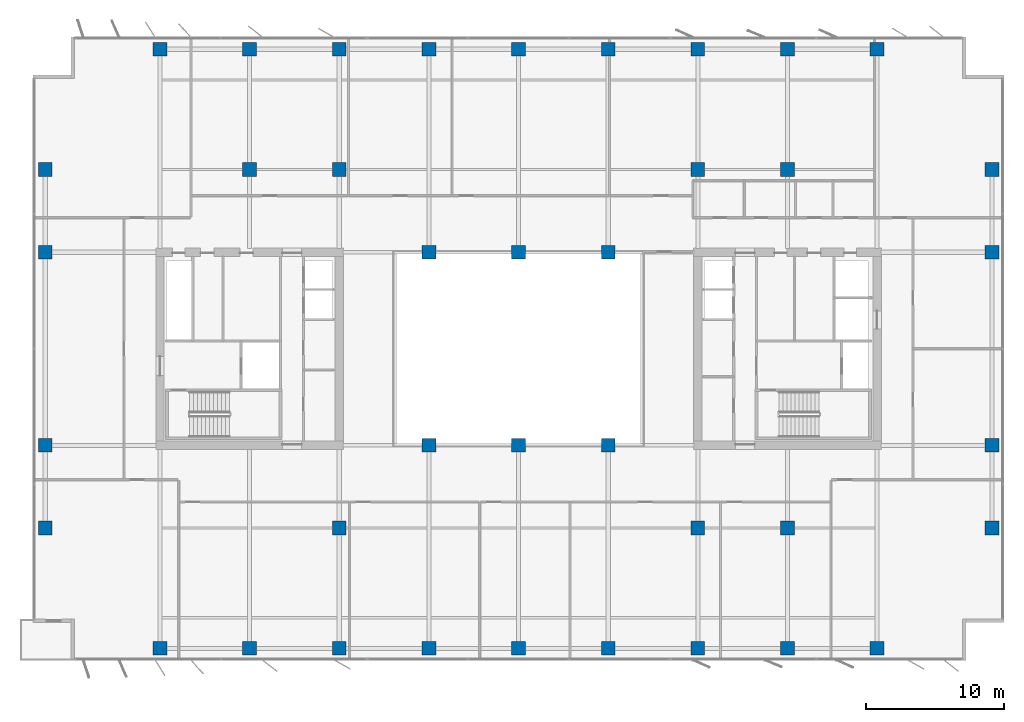
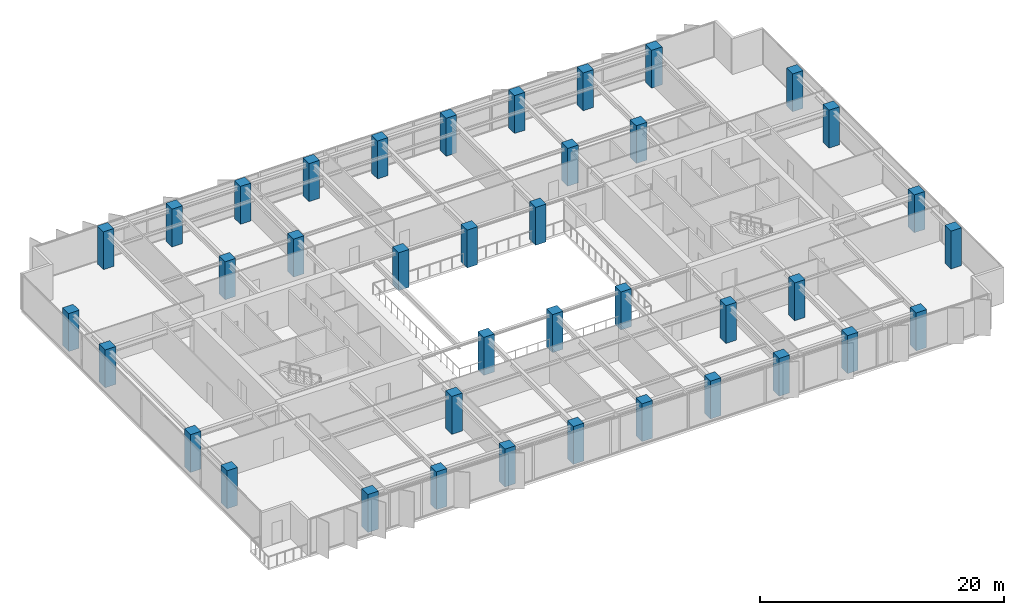
# One storey, part 1 of 22: 39 columns.
"""IFC4 building model written with IfcOpenShell, lengths in metres."""

from ifc_helpers import new_model, si_unit, direction, frame, origin, origin_2d, place, context, subcontext, project, spatial, rectangle, extrude, material, material_profile, profile_set, type_object, element, save


model = new_model("IFC4")

# Units and contexts
model_context = context("Model", 3, precision=1e-05, world=origin(), true_north=direction((0.0, 1.0)))
body_context = subcontext(model_context, "Body", "Model", "MODEL_VIEW")
ifc_project = project(units=[si_unit("LENGTHUNIT", "METRE"), si_unit("AREAUNIT", "SQUARE_METRE"), si_unit("VOLUMEUNIT", "CUBIC_METRE"), si_unit("PLANEANGLEUNIT", "RADIAN"), si_unit("MASSUNIT", "GRAM", prefix="KILO")], contexts=[model_context])

# Site, building, storey
site_placement = place(None, origin())
site = spatial("IfcSite", under=ifc_project, at=site_placement, CompositionType="ELEMENT")
building_placement = place(site_placement, origin())
building = spatial("IfcBuilding", under=site, at=building_placement, Name="Putna Gate Headquarters", CompositionType="ELEMENT")
storey_placement = place(building_placement, frame((0.0, 0.0, 170.800048828125)))
storey = spatial("IfcBuildingStorey", under=building, at=storey_placement, Name="L42", CompositionType="ELEMENT", Elevation=170.800048828125)

# Columns
ifc_material = material(Name="Concrete C50/60", Category="concrete")
ifc_material_profile_1 = material_profile(ifc_material, rectangle(XDim=1.0, YDim=1.0, at=origin_2d()), Name="Concrete C50/60")
ifc_profile_set_1 = profile_set([ifc_material_profile_1], Name="Concrete C50/60")
column_type_1 = type_object("IfcColumnType", Name="COL-RC1000-EXT", PredefinedType="COLUMN", material=ifc_profile_set_1)
for number, where, z_axis, x_axis, name in (
    (1, (13.0, 4.280029296875, 0.0), (0.0, 0.0, 1.0), (1.0, 0.0, 0.0), "L42 Column CP-S13"),
    (2, (13.0, 47.719970703125, 0.0), (0.0, 0.0, 1.0), (1.0, 0.0, 0.0), "L42 Column CP-N13"),
    (3, (19.5, 4.280029296875, 0.0), (0.0, 0.0, 1.0), (1.0, 0.0, 0.0), "L42 Column CP-S19"),
    (4, (19.5, 47.719970703125, 0.0), (0.0, 0.0, 1.0), (1.0, 0.0, 0.0), "L42 Column CP-N19"),
    (5, (26.0, 4.280029296875, 0.0), (0.0, 0.0, 1.0), (1.0, 0.0, 0.0), "L42 Column CP-S26"),
    (6, (26.0, 47.719970703125, 0.0), (0.0, 0.0, 1.0), (1.0, 0.0, 0.0), "L42 Column CP-N26"),
    (7, (32.5, 4.280029296875, 0.0), (0.0, 0.0, 1.0), (1.0, 0.0, 0.0), "L42 Column CP-S32"),
    (8, (32.5, 47.719970703125, 0.0), (0.0, 0.0, 1.0), (1.0, 0.0, 0.0), "L42 Column CP-N32"),
    (9, (39.0, 4.280029296875, 0.0), (0.0, 0.0, 1.0), (1.0, 0.0, 0.0), "L42 Column CP-S39"),
    (10, (39.0, 47.719970703125, 0.0), (0.0, 0.0, 1.0), (1.0, 0.0, 0.0), "L42 Column CP-N39"),
    (11, (45.5, 4.280029296875, 0.0), (0.0, 0.0, 1.0), (1.0, 0.0, 0.0), "L42 Column CP-S45"),
    (12, (45.5, 47.719970703125, 0.0), (0.0, 0.0, 1.0), (1.0, 0.0, 0.0), "L42 Column CP-N45"),
    (13, (52.0, 4.280029296875, 0.0), (0.0, 0.0, 1.0), (1.0, 0.0, 0.0), "L42 Column CP-S52"),
    (14, (52.0, 47.719970703125, 0.0), (0.0, 0.0, 1.0), (1.0, 0.0, 0.0), "L42 Column CP-N52"),
    (15, (58.5, 4.280029296875, 0.0), (0.0, 0.0, 1.0), (1.0, 0.0, 0.0), "L42 Column CP-S58"),
    (16, (58.5, 47.719970703125, 0.0), (0.0, 0.0, 1.0), (1.0, 0.0, 0.0), "L42 Column CP-N58"),
    (17, (65.0, 4.280029296875, 0.0), (0.0, 0.0, 1.0), (1.0, 0.0, 0.0), "L42 Column CP-S65"),
    (18, (65.0, 47.719970703125, 0.0), (0.0, 0.0, 1.0), (1.0, 0.0, 0.0), "L42 Column CP-N65"),
    (19, (4.679931640625, 13.0, 0.0), (0.0, 0.0, 1.0), (1.0, 0.0, 0.0), "L42 Column CP-W13"),
    (20, (73.320068359375, 13.0, 0.0), (0.0, 0.0, 1.0), (1.0, 0.0, 0.0), "L42 Column CP-E13"),
    (21, (4.679931640625, 19.0, 0.0), (0.0, 0.0, 1.0), (1.0, 0.0, 0.0), "L42 Column CP-W19"),
    (22, (73.320068359375, 19.0, 0.0), (0.0, 0.0, 1.0), (1.0, 0.0, 0.0), "L42 Column CP-E19"),
    (23, (4.679931640625, 33.0, 0.0), (0.0, 0.0, 1.0), (1.0, 0.0, 0.0), "L42 Column CP-W33"),
    (24, (73.320068359375, 33.0, 0.0), (0.0, 0.0, 1.0), (1.0, 0.0, 0.0), "L42 Column CP-E33"),
    (25, (4.679931640625, 39.0, 0.0), (0.0, 0.0, 1.0), (1.0, 0.0, 0.0), "L42 Column CP-W39"),
    (26, (73.320068359375, 39.0, 0.0), (0.0, 0.0, 1.0), (1.0, 0.0, 0.0), "L42 Column CP-E39"),
):
    element("IfcColumn", number, at=place(storey_placement, frame(where, z_axis=z_axis, x_axis=x_axis)), inside=storey, type_object=column_type_1, Name=name, PredefinedType="COLUMN", context=body_context, shape_type="SweptSolid", body=[
        extrude(rectangle(XDim=1.0, YDim=1.0, at=origin_2d()), origin(), (0.0, 0.0, 1.0), 3.800048828125),
    ])
ifc_material_profile_2 = material_profile(ifc_material, rectangle(XDim=1.0, YDim=1.0, at=origin_2d()), Name="Concrete C50/60")
ifc_profile_set_2 = profile_set([ifc_material_profile_2], Name="Concrete C50/60")
column_type_2 = type_object("IfcColumnType", Name="COL-RC1000-INT", PredefinedType="COLUMN", material=ifc_profile_set_2)
for number, where, z_axis, x_axis, name in (
    (27, (19.5, 39.0, 0.0), (0.0, 0.0, 1.0), (1.0, 0.0, 0.0), "L42 Column CSI-WN"),
    (28, (58.5, 13.0, 0.0), (0.0, 0.0, 1.0), (1.0, 0.0, 0.0), "L42 Column CSI-ES"),
    (29, (58.5, 39.0, 0.0), (0.0, 0.0, 1.0), (1.0, 0.0, 0.0), "L42 Column CSI-EN"),
    (30, (32.5, 19.0, 0.0), (0.0, 0.0, 1.0), (1.0, 0.0, 0.0), "L42 Column CAI-S32"),
    (31, (32.5, 33.0, 0.0), (0.0, 0.0, 1.0), (1.0, 0.0, 0.0), "L42 Column CAI-N32"),
    (32, (39.0, 19.0, 0.0), (0.0, 0.0, 1.0), (1.0, 0.0, 0.0), "L42 Column CAI-S39"),
    (33, (39.0, 33.0, 0.0), (0.0, 0.0, 1.0), (1.0, 0.0, 0.0), "L42 Column CAI-N39"),
    (34, (45.5, 19.0, 0.0), (0.0, 0.0, 1.0), (1.0, 0.0, 0.0), "L42 Column CAI-S45"),
    (35, (45.5, 33.0, 0.0), (0.0, 0.0, 1.0), (1.0, 0.0, 0.0), "L42 Column CAI-N45"),
    (36, (26.0, 13.0, 0.0), (0.0, 0.0, 1.0), (1.0, 0.0, 0.0), "L42 Column CAP-WS"),
    (37, (26.0, 39.0, 0.0), (0.0, 0.0, 1.0), (1.0, 0.0, 0.0), "L42 Column CAP-WN"),
    (38, (52.0, 13.0, 0.0), (0.0, 0.0, 1.0), (1.0, 0.0, 0.0), "L42 Column CAP-ES"),
    (39, (52.0, 39.0, 0.0), (0.0, 0.0, 1.0), (1.0, 0.0, 0.0), "L42 Column CAP-EN"),
):
    element("IfcColumn", number, at=place(storey_placement, frame(where, z_axis=z_axis, x_axis=x_axis)), inside=storey, type_object=column_type_2, Name=name, PredefinedType="COLUMN", context=body_context, shape_type="SweptSolid", body=[
        extrude(rectangle(XDim=1.0, YDim=1.0, at=origin_2d()), origin(), (0.0, 0.0, 1.0), 3.800048828125),
    ])

save(model, "model.ifc")
